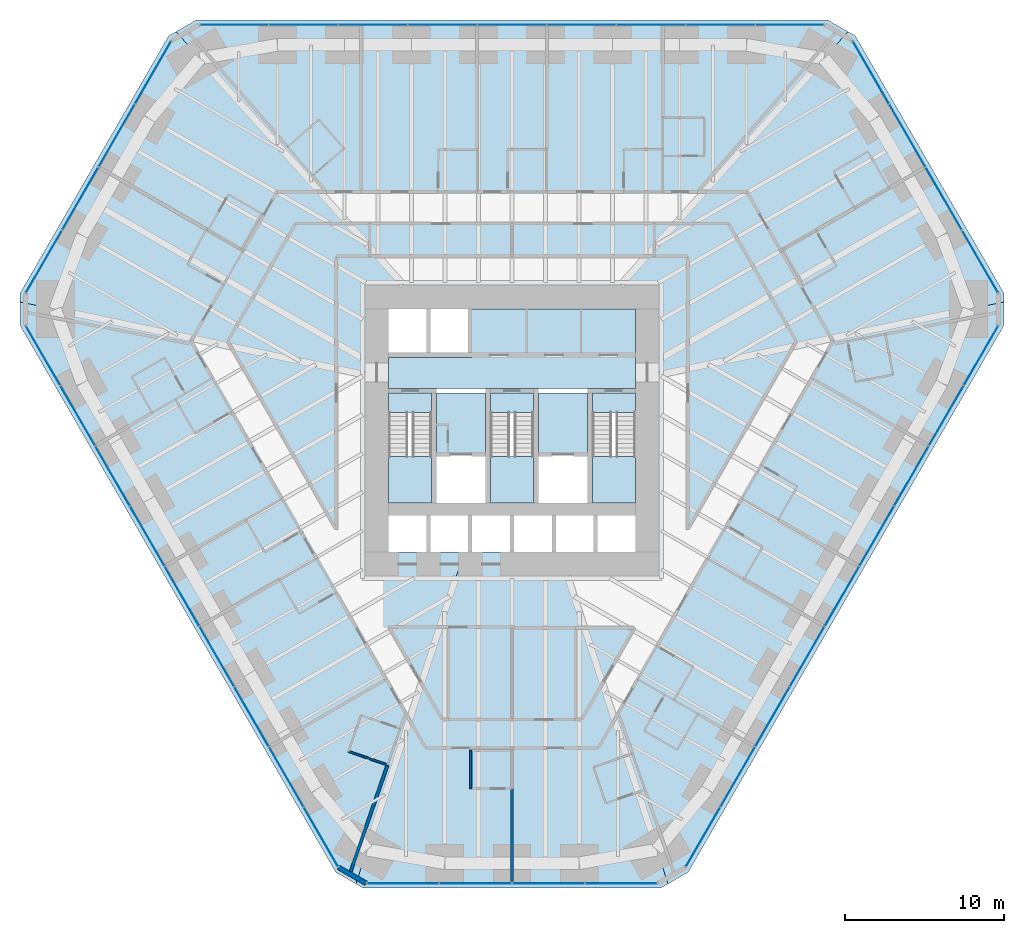
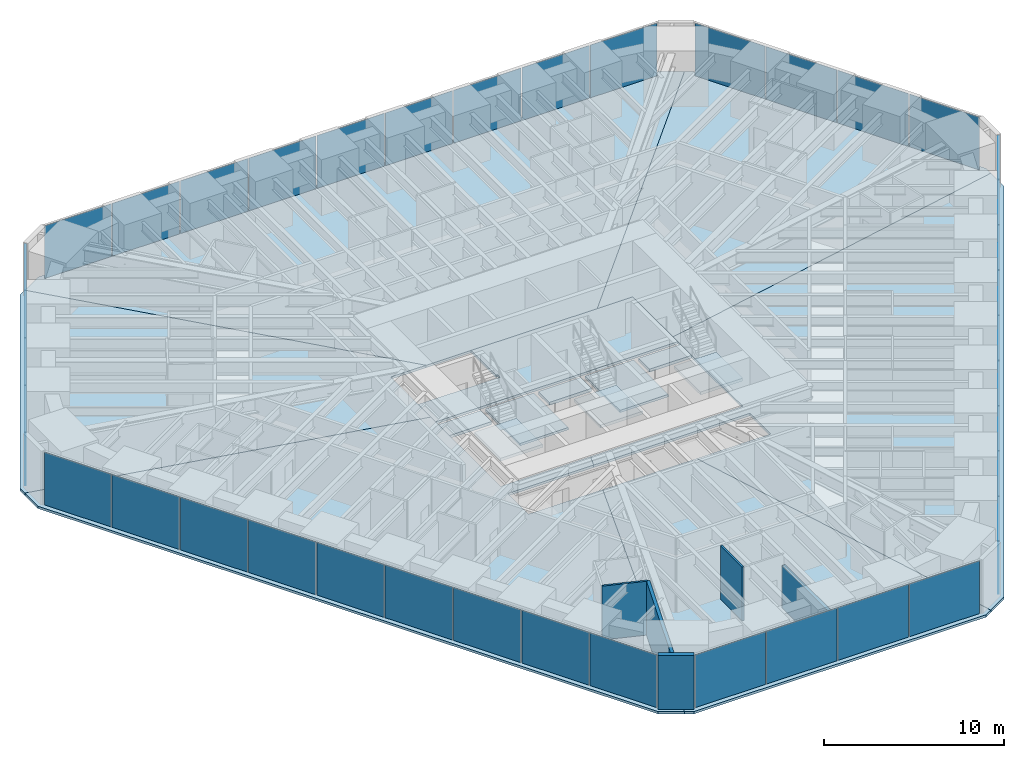
# One storey, part 10 of 17: 39 plates, 15 slabs, 5 walls, 9 elements without a shape of their own.
"""IFC4 building model written with IfcOpenShell, lengths in metres."""

from ifc_helpers import new_model, si_unit, direction, frame, frame_2d, origin, origin_2d, place, context, subcontext, project, spatial, polyline, rectangle, outline, extrude, material, layer, layer_set, type_object, element, aggregate, save


model = new_model("IFC4")

# Units and contexts
model_context = context("Model", 3, precision=1e-05, world=origin(), true_north=direction((0.0, 1.0)))
body_context = subcontext(model_context, "Body", "Model", "MODEL_VIEW")
ifc_project = project(units=[si_unit("LENGTHUNIT", "METRE"), si_unit("AREAUNIT", "SQUARE_METRE"), si_unit("VOLUMEUNIT", "CUBIC_METRE"), si_unit("PLANEANGLEUNIT", "RADIAN"), si_unit("MASSUNIT", "GRAM", prefix="KILO")], contexts=[model_context])

# Site, building, storey
site_placement = place(None, origin())
site = spatial("IfcSite", under=ifc_project, at=site_placement, CompositionType="ELEMENT")
building_placement = place(site_placement, origin())
building = spatial("IfcBuilding", under=site, at=building_placement, Name="Sandreach Pilgrim Tower", CompositionType="ELEMENT")
storey_placement = place(building_placement, frame((0.0, 0.0, 26.800048828125)))
storey = spatial("IfcBuildingStorey", under=building, at=storey_placement, Name="L05", CompositionType="ELEMENT", Elevation=26.800048828125)

# Curtain wall, plates
ifc_material_1 = material(Name="Aluminium framed curtain wall", Category="aluminium")
curtain_wall_type = type_object("IfcCurtainWallType", Name="Hostel tower curtain wall", PredefinedType="NOTDEFINED", material=ifc_material_1)
curtain_wall_1_placement = place(storey_placement, origin())
curtain_wall_1 = element("IfcCurtainWall", 1, at=curtain_wall_1_placement, inside=storey, type_object=curtain_wall_type, Name="CW-1 L05 N", PredefinedType="NOTDEFINED")
ifc_material_2 = material(Name="Insulating glass unit 6 heat-strengthened + 12 argon + 6 heat-strengthened", Category="glass")
ifc_layer_1 = layer(ifc_material_2, 0.02392578125)
ifc_layer_set_1 = layer_set([ifc_layer_1], Name="CW-1 panel")
plate_type = type_object("IfcPlateType", Name="CW-1 panel", PredefinedType="CURTAIN_PANEL", material=ifc_layer_set_1)
plate_1_placement = place(storey_placement, frame((-17.469970703125, 23.94873046875, 0.0), z_axis=(0.0, 0.0, 1.0), x_axis=(1.0, 0.0, 0.0)))
plate_1 = element("IfcPlate", 2, at=plate_1_placement, type_object=plate_type, Name="CW-1 panel 1", PredefinedType="CURTAIN_PANEL", context=body_context, shape_type="SweptSolid", body=[
    extrude(rectangle(XDim=4.274169921875, YDim=0.02392578125, at=origin_2d()), origin(), (0.0, 0.0, 1.0), 3.570068359375),
])
plate_2_placement = place(storey_placement, frame((-13.11474609375, 23.94873046875, 0.0), z_axis=(0.0, 0.0, 1.0), x_axis=(1.0, 0.0, 0.0)))
plate_2 = element("IfcPlate", 3, at=plate_2_placement, type_object=plate_type, Name="CW-1 panel 2", PredefinedType="CURTAIN_PANEL", context=body_context, shape_type="SweptSolid", body=[
    extrude(rectangle(XDim=4.306640625, YDim=0.02392578125, at=origin_2d()), origin(), (0.0, 0.0, 1.0), 3.570068359375),
])
plate_3_placement = place(storey_placement, frame((-8.7431640625, 23.94873046875, 0.0), z_axis=(0.0, 0.0, 1.0), x_axis=(1.0, 0.0, 0.0)))
plate_3 = element("IfcPlate", 4, at=plate_3_placement, type_object=plate_type, Name="CW-1 panel 3", PredefinedType="CURTAIN_PANEL", context=body_context, shape_type="SweptSolid", body=[
    extrude(rectangle(XDim=4.306640625, YDim=0.02392578125, at=origin_2d()), origin(), (0.0, 0.0, 1.0), 3.570068359375),
])
plate_4_placement = place(storey_placement, frame((-4.37158203125, 23.94873046875, 0.0), z_axis=(0.0, 0.0, 1.0), x_axis=(1.0, 0.0, 0.0)))
plate_4 = element("IfcPlate", 5, at=plate_4_placement, type_object=plate_type, Name="CW-1 panel 4", PredefinedType="CURTAIN_PANEL", context=body_context, shape_type="SweptSolid", body=[
    extrude(rectangle(XDim=4.306640625, YDim=0.02392578125, at=origin_2d()), origin(), (0.0, 0.0, 1.0), 3.570068359375),
])
plate_5_placement = place(storey_placement, frame((0.0, 23.94873046875, 0.0), z_axis=(0.0, 0.0, 1.0), x_axis=(1.0, 0.0, 0.0)))
plate_5 = element("IfcPlate", 6, at=plate_5_placement, type_object=plate_type, Name="CW-1 panel 5", PredefinedType="CURTAIN_PANEL", context=body_context, shape_type="SweptSolid", body=[
    extrude(rectangle(XDim=4.306640625, YDim=0.02392578125, at=origin_2d()), origin(), (0.0, 0.0, 1.0), 3.570068359375),
])
plate_6_placement = place(storey_placement, frame((4.37158203125, 23.94873046875, 0.0), z_axis=(0.0, 0.0, 1.0), x_axis=(1.0, 0.0, 0.0)))
plate_6 = element("IfcPlate", 7, at=plate_6_placement, type_object=plate_type, Name="CW-1 panel 6", PredefinedType="CURTAIN_PANEL", context=body_context, shape_type="SweptSolid", body=[
    extrude(rectangle(XDim=4.306640625, YDim=0.02392578125, at=origin_2d()), origin(), (0.0, 0.0, 1.0), 3.570068359375),
])
plate_7_placement = place(storey_placement, frame((8.7431640625, 23.94873046875, 0.0), z_axis=(0.0, 0.0, 1.0), x_axis=(1.0, 0.0, 0.0)))
plate_7 = element("IfcPlate", 8, at=plate_7_placement, type_object=plate_type, Name="CW-1 panel 7", PredefinedType="CURTAIN_PANEL", context=body_context, shape_type="SweptSolid", body=[
    extrude(rectangle(XDim=4.306640625, YDim=0.02392578125, at=origin_2d()), origin(), (0.0, 0.0, 1.0), 3.570068359375),
])
plate_8_placement = place(storey_placement, frame((13.11474609375, 23.94873046875, 0.0), z_axis=(0.0, 0.0, 1.0), x_axis=(1.0, 0.0, 0.0)))
plate_8 = element("IfcPlate", 9, at=plate_8_placement, type_object=plate_type, Name="CW-1 panel 8", PredefinedType="CURTAIN_PANEL", context=body_context, shape_type="SweptSolid", body=[
    extrude(rectangle(XDim=4.306640625, YDim=0.02392578125, at=origin_2d()), origin(), (0.0, 0.0, 1.0), 3.570068359375),
])
plate_9_placement = place(storey_placement, frame((17.469970703125, 23.94873046875, 0.0), z_axis=(0.0, 0.0, 1.0), x_axis=(1.0, 0.0, 0.0)))
plate_9 = element("IfcPlate", 10, at=plate_9_placement, type_object=plate_type, Name="CW-1 panel 9", PredefinedType="CURTAIN_PANEL", context=body_context, shape_type="SweptSolid", body=[
    extrude(rectangle(XDim=4.274169921875, YDim=0.02392578125, at=origin_2d()), origin(), (0.0, 0.0, 1.0), 3.570068359375),
])
aggregate(curtain_wall_1, [plate_1, plate_2, plate_3, plate_4, plate_5, plate_6, plate_7, plate_8, plate_9])

curtain_wall_2_placement = place(storey_placement, origin())
curtain_wall_2 = element("IfcCurtainWall", 11, at=curtain_wall_2_placement, inside=storey, type_object=curtain_wall_type, Name="CW-1 L05 NE", PredefinedType="NOTDEFINED")
plate_10_placement = place(storey_placement, frame((22.558837890625, 20.94873046875, 0.0), z_axis=(0.0, 0.0, 1.0), x_axis=(0.5, -0.866025403784, 0.0)))
plate_10 = element("IfcPlate", 12, at=plate_10_placement, type_object=plate_type, Name="CW-1 panel 1", PredefinedType="CURTAIN_PANEL", context=body_context, shape_type="SweptSolid", body=[
    extrude(rectangle(XDim=4.488525390625, YDim=0.02392578125, at=origin_2d()), origin(), (0.0, 0.0, 1.0), 3.570068359375),
])
plate_11_placement = place(storey_placement, frame((24.84375, 16.9912109375, 0.0), z_axis=(0.0, 0.0, 1.0), x_axis=(0.5, -0.866025403784, 0.0)))
plate_11 = element("IfcPlate", 13, at=plate_11_placement, type_object=plate_type, Name="CW-1 panel 2", PredefinedType="CURTAIN_PANEL", context=body_context, shape_type="SweptSolid", body=[
    extrude(rectangle(XDim=4.52099609375, YDim=0.02392578125, at=origin_2d()), origin(), (0.0, 0.0, 1.0), 3.570068359375),
])
plate_12_placement = place(storey_placement, frame((27.13671875, 13.01953125, 0.0), z_axis=(0.0, 0.0, 1.0), x_axis=(0.5, -0.866025403784, 0.0)))
plate_12 = element("IfcPlate", 14, at=plate_12_placement, type_object=plate_type, Name="CW-1 panel 3", PredefinedType="CURTAIN_PANEL", context=body_context, shape_type="SweptSolid", body=[
    extrude(rectangle(XDim=4.52099609375, YDim=0.02392578125, at=origin_2d()), origin(), (0.0, 0.0, 1.0), 3.570068359375),
])
plate_13_placement = place(storey_placement, frame((29.421630859375, 9.06201171875, 0.0), z_axis=(0.0, 0.0, 1.0), x_axis=(0.5, -0.866025403784, 0.0)))
plate_13 = element("IfcPlate", 15, at=plate_13_placement, type_object=plate_type, Name="CW-1 panel 4", PredefinedType="CURTAIN_PANEL", context=body_context, shape_type="SweptSolid", body=[
    extrude(rectangle(XDim=4.488525390625, YDim=0.02392578125, at=origin_2d()), origin(), (0.0, 0.0, 1.0), 3.570068359375),
])
aggregate(curtain_wall_2, [plate_10, plate_11, plate_12, plate_13])

curtain_wall_3_placement = place(storey_placement, origin())
curtain_wall_3 = element("IfcCurtainWall", 16, at=curtain_wall_3_placement, inside=storey, type_object=curtain_wall_type, Name="CW-1 L05 SE", PredefinedType="NOTDEFINED")
plate_14_placement = place(storey_placement, frame((29.475341796875, 3.1552734375, 0.0), z_axis=(0.0, 0.0, 1.0), x_axis=(-0.5, -0.866025403784, 0.0)))
plate_14 = element("IfcPlate", 17, at=plate_14_placement, type_object=plate_type, Name="CW-1 panel 1", PredefinedType="CURTAIN_PANEL", context=body_context, shape_type="SweptSolid", body=[
    extrude(rectangle(XDim=4.274169921875, YDim=0.02392578125, at=origin_2d()), origin(), (0.0, 0.0, 1.0), 3.570068359375),
])
plate_15_placement = place(storey_placement, frame((27.297607421875, -0.61669921875, 0.0), z_axis=(0.0, 0.0, 1.0), x_axis=(-0.5, -0.866025403784, 0.0)))
plate_15 = element("IfcPlate", 18, at=plate_15_placement, type_object=plate_type, Name="CW-1 panel 2", PredefinedType="CURTAIN_PANEL", context=body_context, shape_type="SweptSolid", body=[
    extrude(rectangle(XDim=4.306640625, YDim=0.02392578125, at=origin_2d()), origin(), (0.0, 0.0, 1.0), 3.570068359375),
])
plate_16_placement = place(storey_placement, frame((25.11181640625, -4.402587890625, 0.0), z_axis=(0.0, 0.0, 1.0), x_axis=(-0.5, -0.866025403784, 0.0)))
plate_16 = element("IfcPlate", 19, at=plate_16_placement, type_object=plate_type, Name="CW-1 panel 3", PredefinedType="CURTAIN_PANEL", context=body_context, shape_type="SweptSolid", body=[
    extrude(rectangle(XDim=4.306640625, YDim=0.02392578125, at=origin_2d()), origin(), (0.0, 0.0, 1.0), 3.570068359375),
])
plate_17_placement = place(storey_placement, frame((22.926025390625, -8.1884765625, 0.0), z_axis=(0.0, 0.0, 1.0), x_axis=(-0.5, -0.866025403784, 0.0)))
plate_17 = element("IfcPlate", 20, at=plate_17_placement, type_object=plate_type, Name="CW-1 panel 4", PredefinedType="CURTAIN_PANEL", context=body_context, shape_type="SweptSolid", body=[
    extrude(rectangle(XDim=4.306640625, YDim=0.02392578125, at=origin_2d()), origin(), (0.0, 0.0, 1.0), 3.570068359375),
])
plate_18_placement = place(storey_placement, frame((20.740234375, -11.974365234375, 0.0), z_axis=(0.0, 0.0, 1.0), x_axis=(-0.5, -0.866025403784, 0.0)))
plate_18 = element("IfcPlate", 21, at=plate_18_placement, type_object=plate_type, Name="CW-1 panel 5", PredefinedType="CURTAIN_PANEL", context=body_context, shape_type="SweptSolid", body=[
    extrude(rectangle(XDim=4.306640625, YDim=0.02392578125, at=origin_2d()), origin(), (0.0, 0.0, 1.0), 3.570068359375),
])
plate_19_placement = place(storey_placement, frame((18.554443359375, -15.76025390625, 0.0), z_axis=(0.0, 0.0, 1.0), x_axis=(-0.5, -0.866025403784, 0.0)))
plate_19 = element("IfcPlate", 22, at=plate_19_placement, type_object=plate_type, Name="CW-1 panel 6", PredefinedType="CURTAIN_PANEL", context=body_context, shape_type="SweptSolid", body=[
    extrude(rectangle(XDim=4.306640625, YDim=0.02392578125, at=origin_2d()), origin(), (0.0, 0.0, 1.0), 3.570068359375),
])
plate_20_placement = place(storey_placement, frame((16.36865234375, -19.546142578125, 0.0), z_axis=(0.0, 0.0, 1.0), x_axis=(-0.5, -0.866025403784, 0.0)))
plate_20 = element("IfcPlate", 23, at=plate_20_placement, type_object=plate_type, Name="CW-1 panel 7", PredefinedType="CURTAIN_PANEL", context=body_context, shape_type="SweptSolid", body=[
    extrude(rectangle(XDim=4.306640625, YDim=0.02392578125, at=origin_2d()), origin(), (0.0, 0.0, 1.0), 3.570068359375),
])
plate_21_placement = place(storey_placement, frame((14.182861328125, -23.33203125, 0.0), z_axis=(0.0, 0.0, 1.0), x_axis=(-0.5, -0.866025403784, 0.0)))
plate_21 = element("IfcPlate", 24, at=plate_21_placement, type_object=plate_type, Name="CW-1 panel 8", PredefinedType="CURTAIN_PANEL", context=body_context, shape_type="SweptSolid", body=[
    extrude(rectangle(XDim=4.306640625, YDim=0.02392578125, at=origin_2d()), origin(), (0.0, 0.0, 1.0), 3.570068359375),
])
plate_22_placement = place(storey_placement, frame((12.005126953125, -27.103759765625, 0.0), z_axis=(0.0, 0.0, 1.0), x_axis=(-0.5, -0.866025403784, 0.0)))
plate_22 = element("IfcPlate", 25, at=plate_22_placement, type_object=plate_type, Name="CW-1 panel 9", PredefinedType="CURTAIN_PANEL", context=body_context, shape_type="SweptSolid", body=[
    extrude(rectangle(XDim=4.274169921875, YDim=0.02392578125, at=origin_2d()), origin(), (0.0, 0.0, 1.0), 3.570068359375),
])
aggregate(curtain_wall_3, [plate_14, plate_15, plate_16, plate_17, plate_18, plate_19, plate_20, plate_21, plate_22])

curtain_wall_4_placement = place(storey_placement, origin())
curtain_wall_4 = element("IfcCurtainWall", 26, at=curtain_wall_4_placement, inside=storey, type_object=curtain_wall_type, Name="CW-1 L05 S", PredefinedType="NOTDEFINED")
plate_23_placement = place(storey_placement, frame((6.86279296875, -30.010986328125, 0.0), z_axis=(0.0, 0.0, 1.0), x_axis=(-1.0, 0.0, 0.0)))
plate_23 = element("IfcPlate", 27, at=plate_23_placement, type_object=plate_type, Name="CW-1 panel 1", PredefinedType="CURTAIN_PANEL", context=body_context, shape_type="SweptSolid", body=[
    extrude(rectangle(XDim=4.488525390625, YDim=0.02392578125, at=origin_2d()), origin(), (0.0, 0.0, 1.0), 3.570068359375),
])
plate_24_placement = place(storey_placement, frame((2.29296875, -30.010986328125, 0.0), z_axis=(0.0, 0.0, 1.0), x_axis=(-1.0, 0.0, 0.0)))
plate_24 = element("IfcPlate", 28, at=plate_24_placement, type_object=plate_type, Name="CW-1 panel 2", PredefinedType="CURTAIN_PANEL", context=body_context, shape_type="SweptSolid", body=[
    extrude(rectangle(XDim=4.52099609375, YDim=0.02392578125, at=origin_2d()), origin(), (0.0, 0.0, 1.0), 3.570068359375),
])
plate_25_placement = place(storey_placement, frame((-2.29296875, -30.010986328125, 0.0), z_axis=(0.0, 0.0, 1.0), x_axis=(-1.0, 0.0, 0.0)))
plate_25 = element("IfcPlate", 29, at=plate_25_placement, type_object=plate_type, Name="CW-1 panel 3", PredefinedType="CURTAIN_PANEL", context=body_context, shape_type="SweptSolid", body=[
    extrude(rectangle(XDim=4.52099609375, YDim=0.02392578125, at=origin_2d()), origin(), (0.0, 0.0, 1.0), 3.570068359375),
])
plate_26_placement = place(storey_placement, frame((-6.86279296875, -30.010986328125, 0.0), z_axis=(0.0, 0.0, 1.0), x_axis=(-1.0, 0.0, 0.0)))
plate_26 = element("IfcPlate", 30, at=plate_26_placement, type_object=plate_type, Name="CW-1 panel 4", PredefinedType="CURTAIN_PANEL", context=body_context, shape_type="SweptSolid", body=[
    extrude(rectangle(XDim=4.488525390625, YDim=0.02392578125, at=origin_2d()), origin(), (0.0, 0.0, 1.0), 3.570068359375),
])
aggregate(curtain_wall_4, [plate_23, plate_24, plate_25, plate_26])

curtain_wall_5_placement = place(storey_placement, origin())
curtain_wall_5 = element("IfcCurtainWall", 31, at=curtain_wall_5_placement, inside=storey, type_object=curtain_wall_type, Name="CW-1 L05 SW", PredefinedType="NOTDEFINED")
plate_27_placement = place(storey_placement, frame((-12.005126953125, -27.103759765625, 0.0), z_axis=(0.0, 0.0, 1.0), x_axis=(-0.5, 0.866025403784, 0.0)))
plate_27 = element("IfcPlate", 32, at=plate_27_placement, type_object=plate_type, Name="CW-1 panel 1", PredefinedType="CURTAIN_PANEL", context=body_context, shape_type="SweptSolid", body=[
    extrude(rectangle(XDim=4.274169921875, YDim=0.02392578125, at=origin_2d()), origin(), (0.0, 0.0, 1.0), 3.570068359375),
])
plate_28_placement = place(storey_placement, frame((-14.182861328125, -23.33203125, 0.0), z_axis=(0.0, 0.0, 1.0), x_axis=(-0.5, 0.866025403784, 0.0)))
plate_28 = element("IfcPlate", 33, at=plate_28_placement, type_object=plate_type, Name="CW-1 panel 2", PredefinedType="CURTAIN_PANEL", context=body_context, shape_type="SweptSolid", body=[
    extrude(rectangle(XDim=4.306640625, YDim=0.02392578125, at=origin_2d()), origin(), (0.0, 0.0, 1.0), 3.570068359375),
])
plate_29_placement = place(storey_placement, frame((-16.36865234375, -19.546142578125, 0.0), z_axis=(0.0, 0.0, 1.0), x_axis=(-0.5, 0.866025403784, 0.0)))
plate_29 = element("IfcPlate", 34, at=plate_29_placement, type_object=plate_type, Name="CW-1 panel 3", PredefinedType="CURTAIN_PANEL", context=body_context, shape_type="SweptSolid", body=[
    extrude(rectangle(XDim=4.306640625, YDim=0.02392578125, at=origin_2d()), origin(), (0.0, 0.0, 1.0), 3.570068359375),
])
plate_30_placement = place(storey_placement, frame((-18.554443359375, -15.76025390625, 0.0), z_axis=(0.0, 0.0, 1.0), x_axis=(-0.5, 0.866025403784, 0.0)))
plate_30 = element("IfcPlate", 35, at=plate_30_placement, type_object=plate_type, Name="CW-1 panel 4", PredefinedType="CURTAIN_PANEL", context=body_context, shape_type="SweptSolid", body=[
    extrude(rectangle(XDim=4.306640625, YDim=0.02392578125, at=origin_2d()), origin(), (0.0, 0.0, 1.0), 3.570068359375),
])
plate_31_placement = place(storey_placement, frame((-20.740234375, -11.974365234375, 0.0), z_axis=(0.0, 0.0, 1.0), x_axis=(-0.5, 0.866025403784, 0.0)))
plate_31 = element("IfcPlate", 36, at=plate_31_placement, type_object=plate_type, Name="CW-1 panel 5", PredefinedType="CURTAIN_PANEL", context=body_context, shape_type="SweptSolid", body=[
    extrude(rectangle(XDim=4.306640625, YDim=0.02392578125, at=origin_2d()), origin(), (0.0, 0.0, 1.0), 3.570068359375),
])
plate_32_placement = place(storey_placement, frame((-22.926025390625, -8.1884765625, 0.0), z_axis=(0.0, 0.0, 1.0), x_axis=(-0.5, 0.866025403784, 0.0)))
plate_32 = element("IfcPlate", 37, at=plate_32_placement, type_object=plate_type, Name="CW-1 panel 6", PredefinedType="CURTAIN_PANEL", context=body_context, shape_type="SweptSolid", body=[
    extrude(rectangle(XDim=4.306640625, YDim=0.02392578125, at=origin_2d()), origin(), (0.0, 0.0, 1.0), 3.570068359375),
])
plate_33_placement = place(storey_placement, frame((-25.11181640625, -4.402587890625, 0.0), z_axis=(0.0, 0.0, 1.0), x_axis=(-0.5, 0.866025403784, 0.0)))
plate_33 = element("IfcPlate", 38, at=plate_33_placement, type_object=plate_type, Name="CW-1 panel 7", PredefinedType="CURTAIN_PANEL", context=body_context, shape_type="SweptSolid", body=[
    extrude(rectangle(XDim=4.306640625, YDim=0.02392578125, at=origin_2d()), origin(), (0.0, 0.0, 1.0), 3.570068359375),
])
plate_34_placement = place(storey_placement, frame((-27.297607421875, -0.61669921875, 0.0), z_axis=(0.0, 0.0, 1.0), x_axis=(-0.5, 0.866025403784, 0.0)))
plate_34 = element("IfcPlate", 39, at=plate_34_placement, type_object=plate_type, Name="CW-1 panel 8", PredefinedType="CURTAIN_PANEL", context=body_context, shape_type="SweptSolid", body=[
    extrude(rectangle(XDim=4.306640625, YDim=0.02392578125, at=origin_2d()), origin(), (0.0, 0.0, 1.0), 3.570068359375),
])
plate_35_placement = place(storey_placement, frame((-29.475341796875, 3.1552734375, 0.0), z_axis=(0.0, 0.0, 1.0), x_axis=(-0.5, 0.866025403784, 0.0)))
plate_35 = element("IfcPlate", 40, at=plate_35_placement, type_object=plate_type, Name="CW-1 panel 9", PredefinedType="CURTAIN_PANEL", context=body_context, shape_type="SweptSolid", body=[
    extrude(rectangle(XDim=4.274169921875, YDim=0.02392578125, at=origin_2d()), origin(), (0.0, 0.0, 1.0), 3.570068359375),
])
aggregate(curtain_wall_5, [plate_27, plate_28, plate_29, plate_30, plate_31, plate_32, plate_33, plate_34, plate_35])

curtain_wall_6_placement = place(storey_placement, origin())
curtain_wall_6 = element("IfcCurtainWall", 41, at=curtain_wall_6_placement, inside=storey, type_object=curtain_wall_type, Name="CW-1 L05 NW", PredefinedType="NOTDEFINED")
plate_36_placement = place(storey_placement, frame((-29.421630859375, 9.06201171875, 0.0), z_axis=(0.0, 0.0, 1.0), x_axis=(0.5, 0.866025403784, 0.0)))
plate_36 = element("IfcPlate", 42, at=plate_36_placement, type_object=plate_type, Name="CW-1 panel 1", PredefinedType="CURTAIN_PANEL", context=body_context, shape_type="SweptSolid", body=[
    extrude(rectangle(XDim=4.488525390625, YDim=0.02392578125, at=origin_2d()), origin(), (0.0, 0.0, 1.0), 3.570068359375),
])
plate_37_placement = place(storey_placement, frame((-27.13671875, 13.01953125, 0.0), z_axis=(0.0, 0.0, 1.0), x_axis=(0.5, 0.866025403784, 0.0)))
plate_37 = element("IfcPlate", 43, at=plate_37_placement, type_object=plate_type, Name="CW-1 panel 2", PredefinedType="CURTAIN_PANEL", context=body_context, shape_type="SweptSolid", body=[
    extrude(rectangle(XDim=4.52099609375, YDim=0.02392578125, at=origin_2d()), origin(), (0.0, 0.0, 1.0), 3.570068359375),
])
plate_38_placement = place(storey_placement, frame((-24.84375, 16.9912109375, 0.0), z_axis=(0.0, 0.0, 1.0), x_axis=(0.5, 0.866025403784, 0.0)))
plate_38 = element("IfcPlate", 44, at=plate_38_placement, type_object=plate_type, Name="CW-1 panel 3", PredefinedType="CURTAIN_PANEL", context=body_context, shape_type="SweptSolid", body=[
    extrude(rectangle(XDim=4.52099609375, YDim=0.02392578125, at=origin_2d()), origin(), (0.0, 0.0, 1.0), 3.570068359375),
])
plate_39_placement = place(storey_placement, frame((-22.558837890625, 20.94873046875, 0.0), z_axis=(0.0, 0.0, 1.0), x_axis=(0.5, 0.866025403784, 0.0)))
plate_39 = element("IfcPlate", 45, at=plate_39_placement, type_object=plate_type, Name="CW-1 panel 4", PredefinedType="CURTAIN_PANEL", context=body_context, shape_type="SweptSolid", body=[
    extrude(rectangle(XDim=4.488525390625, YDim=0.02392578125, at=origin_2d()), origin(), (0.0, 0.0, 1.0), 3.570068359375),
])
aggregate(curtain_wall_6, [plate_36, plate_37, plate_38, plate_39])

# Slabs
ifc_material_3 = material(Name="Concrete 8000 psi", Category="concrete")
ifc_layer_2 = layer(ifc_material_3, 0.159912109375)
ifc_layer_set_2 = layer_set([ifc_layer_2], Name="Composite floor slab 160")
slab_type_1 = type_object("IfcSlabType", Name="Composite floor slab 160", PredefinedType="FLOOR", material=ifc_layer_set_2)
slab_1_placement = place(storey_placement, frame((0.0, 0.0, -0.16015625)))
element("IfcSlab", 46, at=slab_1_placement, inside=storey, type_object=slab_type_1, Name="Floor slab L05 N sector", PredefinedType="FLOOR", context=body_context, shape_type="SweptSolid", body=[
    extrude(outline(polyline([(-19.84521484375, 24.248779296875), (19.84521484375, 24.248779296875), (21.115478515625, 23.515380859375), (5.477294921875, 6.10009765625), (-5.477294921875, 6.10009765625), (-21.115478515625, 23.515380859375), (-19.84521484375, 24.248779296875)])), origin(), (0.0, 0.0, 1.0), 0.16015625),
])
slab_2_placement = place(storey_placement, frame((0.0, 0.0, -0.16015625)))
element("IfcSlab", 47, at=slab_2_placement, inside=storey, type_object=slab_type_1, Name="Floor slab L05 NE sector", PredefinedType="FLOOR", context=body_context, shape_type="SweptSolid", body=[
    extrude(outline(polyline([(21.577392578125, 23.248779296875), (30.922607421875, 7.062255859375), (30.922607421875, 6.52880859375), (7.75, 1.63623046875), (7.75, 6.10009765625), (5.477294921875, 6.10009765625), (21.115478515625, 23.515380859375), (21.577392578125, 23.248779296875)])), origin(), (0.0, 0.0, 1.0), 0.16015625),
])
slab_3_placement = place(storey_placement, frame((0.0, 0.0, -0.16015625)))
element("IfcSlab", 48, at=slab_3_placement, inside=storey, type_object=slab_type_1, Name="Floor slab L05 SE sector", PredefinedType="FLOOR", context=body_context, shape_type="SweptSolid", body=[
    extrude(outline(polyline([(11.077392578125, -29.310791015625), (9.80712890625, -30.044189453125), (3.003173828125, -9.199951171875), (7.75, -9.199951171875), (7.75, -6.89990234375), (-2.252197265625, -6.89990234375), (-1.9912109375, -6.10009765625), (7.75, -6.10009765625), (7.75, 1.63623046875), (30.922607421875, 6.52880859375), (30.922607421875, 5.062255859375), (11.077392578125, -29.310791015625)])), origin(), (0.0, 0.0, 1.0), 0.16015625),
])
slab_4_placement = place(storey_placement, frame((0.0, 0.0, -0.16015625)))
element("IfcSlab", 49, at=slab_4_placement, inside=storey, type_object=slab_type_1, Name="Floor slab L05 S sector", PredefinedType="FLOOR", context=body_context, shape_type="SweptSolid", body=[
    extrude(outline(polyline([(9.34521484375, -30.310791015625), (-9.34521484375, -30.310791015625), (-9.80712890625, -30.044189453125), (-3.003173828125, -9.199951171875), (3.003173828125, -9.199951171875), (9.80712890625, -30.044189453125), (9.34521484375, -30.310791015625)])), origin(), (0.0, 0.0, 1.0), 0.16015625),
])
slab_5_placement = place(storey_placement, frame((0.0, 0.0, -0.16015625)))
element("IfcSlab", 50, at=slab_5_placement, inside=storey, type_object=slab_type_1, Name="Floor slab L05 SW sector", PredefinedType="FLOOR", context=body_context, shape_type="SweptSolid", body=[
    extrude(outline(polyline([(-11.077392578125, -29.310791015625), (-30.922607421875, 5.062255859375), (-30.922607421875, 6.52880859375), (-7.75, 1.63623046875), (-7.75, -6.10009765625), (-1.9912109375, -6.10009765625), (-2.252197265625, -6.89990234375), (-7.75, -6.89990234375), (-7.75, -9.199951171875), (-3.003173828125, -9.199951171875), (-9.80712890625, -30.044189453125), (-11.077392578125, -29.310791015625)])), origin(), (0.0, 0.0, 1.0), 0.16015625),
])
slab_6_placement = place(storey_placement, frame((0.0, 0.0, -0.16015625)))
element("IfcSlab", 51, at=slab_6_placement, inside=storey, type_object=slab_type_1, Name="Floor slab L05 NW sector", PredefinedType="FLOOR", context=body_context, shape_type="SweptSolid", body=[
    extrude(outline(polyline([(-30.922607421875, 7.062255859375), (-21.577392578125, 23.248779296875), (-21.115478515625, 23.515380859375), (-5.477294921875, 6.10009765625), (-7.75, 6.10009765625), (-7.75, 1.63623046875), (-30.922607421875, 6.52880859375), (-30.922607421875, 7.062255859375)])), origin(), (0.0, 0.0, 1.0), 0.16015625),
])
slab_7_placement = place(storey_placement, frame((0.0, 0.0, -0.16015625)))
element("IfcSlab", 52, at=slab_7_placement, inside=storey, type_object=slab_type_1, Name="Core floor slab and stores L05", PredefinedType="FLOOR", context=body_context, shape_type="SweptSolid", body=[
    extrude(outline(polyline([(-7.75, 3.050048828125), (-5.375, 3.050048828125), (-5.125, 3.050048828125), (-2.5, 3.050048828125), (-2.5, 3.35009765625), (-2.60009765625, 3.35009765625), (-2.60009765625, 6.10009765625), (7.75, 6.10009765625), (7.75, 1.10009765625), (5.050048828125, 1.10009765625), (4.75, 1.10009765625), (1.64990234375, 1.10009765625), (1.35009765625, 1.10009765625), (-1.35009765625, 1.10009765625), (-1.64990234375, 1.10009765625), (-4.75, 1.10009765625), (-5.050048828125, 1.10009765625), (-7.75, 1.10009765625), (-7.75, 3.050048828125)])), origin(), (0.0, 0.0, 1.0), 0.16015625),
])
slab_8_placement = place(storey_placement, frame((0.0, 0.0, -0.16015625)))
element("IfcSlab", 53, at=slab_8_placement, inside=storey, type_object=slab_type_1, Name="Core floor slab and stores L05 2", PredefinedType="FLOOR", context=body_context, shape_type="SweptSolid", body=[
    extrude(outline(polyline([(-1.64990234375, -3.050048828125), (-4.75, -3.050048828125), (-4.75, 0.800048828125), (-1.64990234375, 0.800048828125), (-1.64990234375, -3.050048828125)])), origin(), (0.0, 0.0, 1.0), 0.16015625),
])
slab_9_placement = place(storey_placement, frame((0.0, 0.0, -0.16015625)))
element("IfcSlab", 54, at=slab_9_placement, inside=storey, type_object=slab_type_1, Name="Core floor slab and stores L05 3", PredefinedType="FLOOR", context=body_context, shape_type="SweptSolid", body=[
    extrude(outline(polyline([(4.75, -3.050048828125), (1.64990234375, -3.050048828125), (1.64990234375, 0.800048828125), (4.75, 0.800048828125), (4.75, -3.050048828125)])), origin(), (0.0, 0.0, 1.0), 0.16015625),
])

# Stair, slabs
ifc_material_4 = material(Name="Concrete 8000 psi", Category="concrete")
stair_type = type_object("IfcStairType", Name="Core exit stair", PredefinedType="HALF_TURN_STAIR", material=ifc_material_4)
stair_1_placement = place(storey_placement, origin())
stair_1 = element("IfcStair", 55, at=stair_1_placement, inside=storey, type_object=stair_type, Name="Exit stair ST1 L05", PredefinedType="HALF_TURN_STAIR")
ifc_material_5 = material(Name="Concrete 8000 psi", Category="concrete")
ifc_layer_3 = layer(ifc_material_5, 0.199951171875)
ifc_layer_set_3 = layer_set([ifc_layer_3], Name="Core stair landing 200")
slab_type_2 = type_object("IfcSlabType", Name="Core stair landing 200", PredefinedType="LANDING", material=ifc_layer_set_3)
slab_10_placement = place(storey_placement, frame((0.0, 0.0, -0.199951171875)))
slab_10 = element("IfcSlab", 56, at=slab_10_placement, type_object=slab_type_2, Name="ST1 landing 1", PredefinedType="LANDING", context=body_context, shape_type="SweptSolid", body=[
    extrude(outline(polyline([(-7.75, -0.425048828125), (-5.050048828125, -0.425048828125), (-5.050048828125, 0.800048828125), (-7.75, 0.800048828125), (-7.75, -0.425048828125)])), origin(), (0.0, 0.0, 1.0), 0.199951171875),
])
slab_11_placement = place(storey_placement, frame((0.0, 0.0, 1.699951171875)))
slab_11 = element("IfcSlab", 57, at=slab_11_placement, type_object=slab_type_2, Name="ST1 landing 2", PredefinedType="LANDING", context=body_context, shape_type="SweptSolid", body=[
    extrude(outline(polyline([(-7.75, -6.10009765625), (-5.050048828125, -6.10009765625), (-5.050048828125, -3.175048828125), (-7.75, -3.175048828125), (-7.75, -6.10009765625)])), origin(), (0.0, 0.0, 1.0), 0.199951171875),
])
aggregate(stair_1, [slab_10, slab_11])

stair_2_placement = place(storey_placement, origin())
stair_2 = element("IfcStair", 58, at=stair_2_placement, inside=storey, type_object=stair_type, Name="Exit stair ST3 L05", PredefinedType="HALF_TURN_STAIR")
slab_12_placement = place(storey_placement, frame((0.0, 0.0, -0.199951171875)))
slab_12 = element("IfcSlab", 59, at=slab_12_placement, type_object=slab_type_2, Name="ST3 landing 1", PredefinedType="LANDING", context=body_context, shape_type="SweptSolid", body=[
    extrude(outline(polyline([(-1.35009765625, -0.425048828125), (1.35009765625, -0.425048828125), (1.35009765625, 0.800048828125), (-1.35009765625, 0.800048828125), (-1.35009765625, -0.425048828125)])), origin(), (0.0, 0.0, 1.0), 0.199951171875),
])
slab_13_placement = place(storey_placement, frame((0.0, 0.0, 1.699951171875)))
slab_13 = element("IfcSlab", 60, at=slab_13_placement, type_object=slab_type_2, Name="ST3 landing 2", PredefinedType="LANDING", context=body_context, shape_type="SweptSolid", body=[
    extrude(outline(polyline([(-1.35009765625, -6.10009765625), (1.35009765625, -6.10009765625), (1.35009765625, -3.175048828125), (-1.35009765625, -3.175048828125), (-1.35009765625, -6.10009765625)])), origin(), (0.0, 0.0, 1.0), 0.199951171875),
])
aggregate(stair_2, [slab_12, slab_13])

stair_3_placement = place(storey_placement, origin())
stair_3 = element("IfcStair", 61, at=stair_3_placement, inside=storey, type_object=stair_type, Name="Exit stair ST2 L05", PredefinedType="HALF_TURN_STAIR")
slab_14_placement = place(storey_placement, frame((0.0, 0.0, -0.199951171875)))
slab_14 = element("IfcSlab", 62, at=slab_14_placement, type_object=slab_type_2, Name="ST2 landing 1", PredefinedType="LANDING", context=body_context, shape_type="SweptSolid", body=[
    extrude(outline(polyline([(5.050048828125, -0.425048828125), (7.75, -0.425048828125), (7.75, 0.800048828125), (5.050048828125, 0.800048828125), (5.050048828125, -0.425048828125)])), origin(), (0.0, 0.0, 1.0), 0.199951171875),
])
slab_15_placement = place(storey_placement, frame((0.0, 0.0, 1.699951171875)))
slab_15 = element("IfcSlab", 63, at=slab_15_placement, type_object=slab_type_2, Name="ST2 landing 2", PredefinedType="LANDING", context=body_context, shape_type="SweptSolid", body=[
    extrude(outline(polyline([(5.050048828125, -6.10009765625), (7.75, -6.10009765625), (7.75, -3.175048828125), (5.050048828125, -3.175048828125), (5.050048828125, -6.10009765625)])), origin(), (0.0, 0.0, 1.0), 0.199951171875),
])
aggregate(stair_3, [slab_14, slab_15])

# Walls
ifc_material_6 = material(Name="Moisture-resistant gypsum board on steel studs", Category="steel")
ifc_layer_4 = layer(ifc_material_6, 0.1201171875)
ifc_layer_set_4 = layer_set([ifc_layer_4], Name="Bathroom partition 120")
wall_type_1 = type_object("IfcWallType", Name="Bathroom partition 120", PredefinedType="PARTITIONING", material=ifc_layer_set_4)
wall_1_placement = place(storey_placement, frame((-10.280029296875, -21.719970703125, 0.0), z_axis=(0.0, 0.0, 1.0), x_axis=(0.94515546045, -0.326620813149, 0.0)))
element("IfcWall", 64, at=wall_1_placement, inside=storey, type_object=wall_type_1, Name="Bathroom partition L05-050", PredefinedType="PARTITIONING", context=body_context, shape_type="SweptSolid", body=[
    extrude(rectangle(XDim=2.602783203125, YDim=0.1201171875, at=frame_2d((1.30126953125, 0.0))), origin(), (0.0, 0.0, 1.0), 3.639892578125),
])
wall_2_placement = place(storey_placement, frame((-2.60009765625, -21.659912109375, 0.0), z_axis=(0.0, 0.0, 1.0), x_axis=(0.0, -1.0, 0.0)))
element("IfcWall", 65, at=wall_2_placement, inside=storey, type_object=wall_type_1, Name="Bathroom partition L05-070", PredefinedType="PARTITIONING", context=body_context, shape_type="SweptSolid", body=[
    extrude(rectangle(XDim=2.400146484375, YDim=0.1201171875, at=frame_2d((1.2001953125, 0.0))), origin(), (0.0, 0.0, 1.0), 3.639892578125),
])
ifc_material_7 = material(Name="Double steel stud acoustic wall, gypsum board", Category="steel")
ifc_layer_5 = layer(ifc_material_7, 0.199951171875)
ifc_layer_set_5 = layer_set([ifc_layer_5], Name="Party wall 200")
wall_type_2 = type_object("IfcWallType", Name="Party wall 200", PredefinedType="PARTITIONING", material=ifc_layer_set_5)
wall_3_placement = place(storey_placement, frame((-10.2001953125, -29.441650390625, 0.0), z_axis=(0.0, 0.0, 1.0), x_axis=(0.327154379454, 0.944970905374, 0.0)))
element("IfcWall", 66, at=wall_3_placement, inside=storey, type_object=wall_type_2, Name="Party wall L05-051", PredefinedType="PARTITIONING", context=body_context, shape_type="SweptSolid", body=[
    extrude(rectangle(XDim=7.272216796875, YDim=0.199951171875, at=frame_2d((3.63623046875, 0.0))), origin(), (0.0, 0.0, 1.0), 3.639892578125),
])
wall_4_placement = place(storey_placement, frame((0.0, -29.889892578125, 0.0), z_axis=(0.0, 0.0, 1.0), x_axis=(0.0, 1.0, 0.0)))
element("IfcWall", 67, at=wall_4_placement, inside=storey, type_object=wall_type_2, Name="Party wall L05-077", PredefinedType="PARTITIONING", context=body_context, shape_type="SweptSolid", body=[
    extrude(rectangle(XDim=5.829833984375, YDim=0.199951171875, at=frame_2d((2.9150390625, 0.0))), origin(), (0.0, 0.0, 1.0), 2.860107421875),
])
ifc_material_8 = material(Name="Terracotta rainscreen on concrete", Category="masonry")
ifc_layer_6 = layer(ifc_material_8, 0.300048828125)
ifc_layer_set_6 = layer_set([ifc_layer_6], Name="Terracotta chamfer pier")
wall_type_3 = type_object("IfcWallType", Name="Terracotta chamfer pier", PredefinedType="SOLIDWALL", material=ifc_layer_set_6)
wall_5_placement = place(storey_placement, frame((-9.172119140625, -30.010986328125, 0.0), z_axis=(0.0, 0.0, 1.0), x_axis=(-0.866010750942, 0.50002537861, 0.0)))
element("IfcWall", 68, at=wall_5_placement, inside=storey, type_object=wall_type_3, Name="Chamfer pier L05 S", PredefinedType="SOLIDWALL", context=body_context, shape_type="SweptSolid", body=[
    extrude(rectangle(XDim=2.0, YDim=0.300048828125, at=frame_2d((1.0, 0.0))), origin(), (0.0, 0.0, 1.0), 3.639892578125),
])

save(model, "model.ifc")
